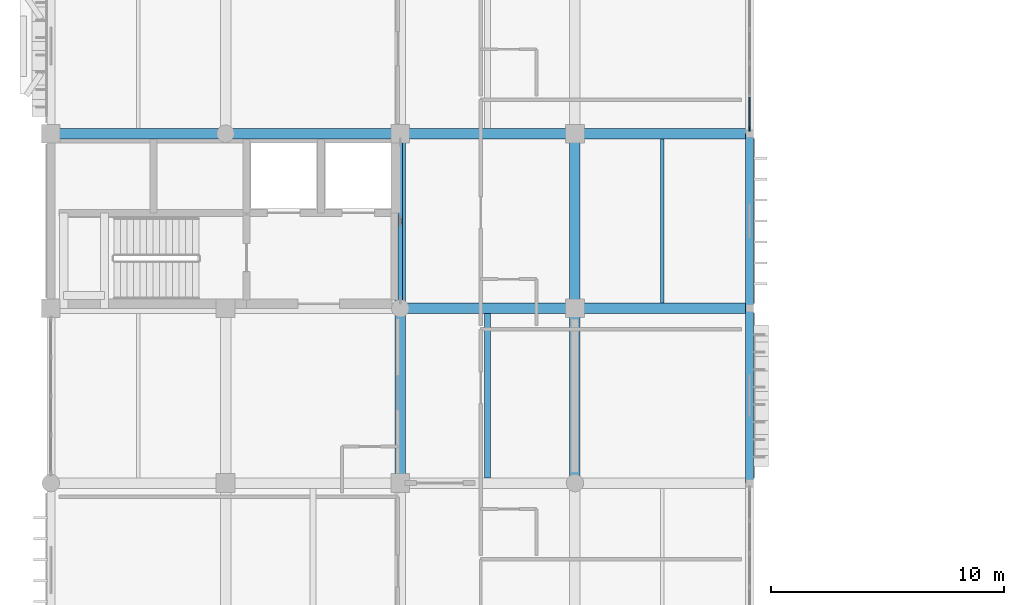
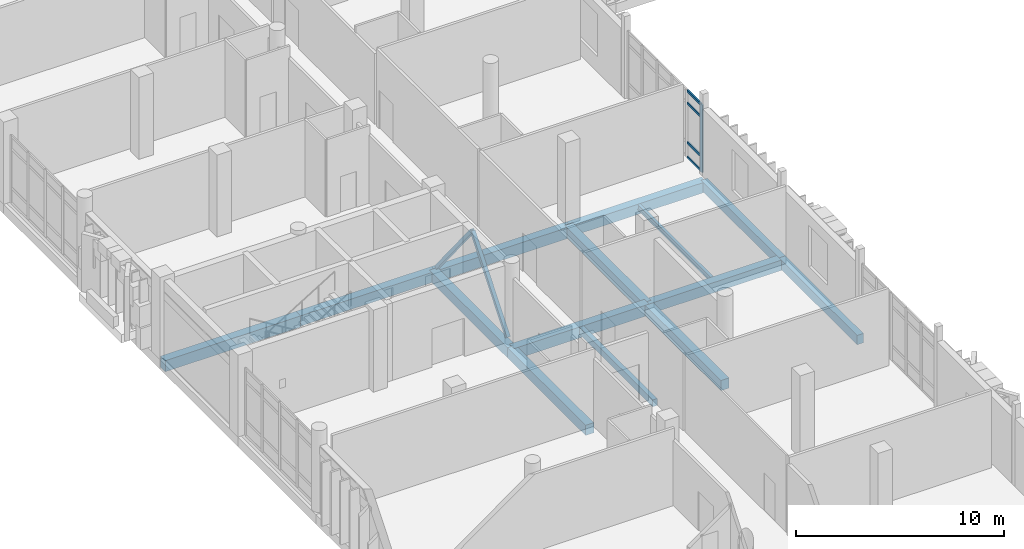
# One storey, part 22 of 131: 14 beams, 7 members, 1 element without a shape of its own.
"""IFC4 building model written with IfcOpenShell, lengths in metres."""

import ifcopenshell
import ifcopenshell.guid

model = None  # the IFC model being written
_history = None  # IfcOwnerHistory: only IFC2X3 demands one
_inside = {}  # id of a spatial element -> (the spatial element, [elements in it])
_under = {}  # id of a project, library or spatial element -> (it, [spatial elements below it])
_declared = {}  # id of a project -> (the project, [libraries it declares])
_typed = {}  # id of a type object -> (the type object, [elements of that type])
_made_of = {}  # id of a material, layer set ... -> (it, [elements and type objects made of it])


def new_model(schema):
    """Start an empty IFC model of exactly this schema.

    Asked for "IFC4X3", IfcOpenShell would pick the latest addendum, in which some entities
    have other attributes; the version numbers below select the first issue.
    IFC2X3 requires an IfcOwnerHistory on every rooted entity: one is made here for all.
    """
    global model, _history
    if schema == "IFC4X3":
        model = ifcopenshell.file(schema_version=(4, 3, 0, 0))
    else:
        model = ifcopenshell.file(schema=schema)
    _inside.clear()
    _under.clear()
    _declared.clear()
    _typed.clear()
    _made_of.clear()
    _history = None
    if model.schema == "IFC2X3":
        org = make("IfcOrganization", Name="unknown")
        user = make(
            "IfcPersonAndOrganization",
            ThePerson=make("IfcPerson", FamilyName="unknown"),
            TheOrganization=org,
        )
        app = make(
            "IfcApplication",
            ApplicationDeveloper=org,
            Version="unknown",
            ApplicationFullName="unknown",
            ApplicationIdentifier="unknown",
        )
        _history = make(
            "IfcOwnerHistory",
            OwningUser=user,
            OwningApplication=app,
            ChangeAction="ADDED",
            CreationDate=0,
        )
    return model


def make(cls, **values):
    """One entity of the class cls with the attributes given. An attribute that is None is left unset."""
    return model.create_entity(
        cls, **{name: value for name, value in values.items() if value is not None}
    )


def rooted(cls, **values):
    """An entity with a GlobalId (a new one), such as an element, a storey or a relation."""
    return make(cls, GlobalId=ifcopenshell.guid.new(), OwnerHistory=_history, **values)


def si_unit(unit_type, name, prefix=None):
    """IfcSIUnit, for example si_unit("LENGTHUNIT", "METRE", prefix="MILLI")."""
    return make("IfcSIUnit", UnitType=unit_type, Prefix=prefix, Name=name)


def assignment(units):
    """IfcUnitAssignment: the units of a project."""
    return None if units is None else make("IfcUnitAssignment", Units=units)


def point(xyz):
    """IfcCartesianPoint."""
    return None if xyz is None else make("IfcCartesianPoint", Coordinates=xyz)


def direction(xyz):
    """IfcDirection."""
    return None if xyz is None else make("IfcDirection", DirectionRatios=xyz)


def frame(location, z_axis=None, x_axis=None):
    """IfcAxis2Placement3D, a coordinate frame: its origin and axes. An axis left out is left unset."""
    return make(
        "IfcAxis2Placement3D",
        Location=point(location),
        Axis=direction(z_axis),
        RefDirection=direction(x_axis),
    )


def frame_2d(location, x_axis=None):
    """IfcAxis2Placement2D, a coordinate frame in the plane: its origin and x axis."""
    return make(
        "IfcAxis2Placement2D", Location=point(location), RefDirection=direction(x_axis)
    )


def origin():
    """The frame at (0, 0, 0) with its axes left unset."""
    return frame((0.0, 0.0, 0.0))


def origin_2d():
    """The frame at (0, 0) in the plane with its x axis left unset."""
    return frame_2d((0.0, 0.0))


def place(relative_to, where):
    """IfcLocalPlacement: puts the frame where relative to a parent placement (None: the world)."""
    return make(
        "IfcLocalPlacement", PlacementRelTo=relative_to, RelativePlacement=where
    )


def context(
    kind, dimensions, precision=None, world=None, true_north=None, identifier=None
):
    """IfcGeometricRepresentationContext, for example the 3D "Model" context."""
    return make(
        "IfcGeometricRepresentationContext",
        ContextIdentifier=identifier,
        ContextType=kind,
        CoordinateSpaceDimension=dimensions,
        Precision=precision,
        WorldCoordinateSystem=world,
        TrueNorth=true_north,
    )


def subcontext(parent, identifier, kind, view, scale=None):
    """IfcGeometricRepresentationSubContext, for example "Body" below "Model"."""
    return make(
        "IfcGeometricRepresentationSubContext",
        ContextIdentifier=identifier,
        ContextType=kind,
        ParentContext=parent,
        TargetScale=scale,
        TargetView=view,
    )


def project(units=None, contexts=None):
    """IfcProject with its units and contexts."""
    return rooted(
        "IfcProject",
        Name="project",
        RepresentationContexts=contexts,
        UnitsInContext=assignment(units),
    )


def spatial(cls, under=None, at=None, **own):
    """A site, building, storey or space (cls), placed at a placement, below another one or the project."""
    s = rooted(cls, ObjectPlacement=at, **own)
    if under is not None:
        _under.setdefault(under.id(), (under, []))[1].append(s)
    return s


def profile(cls, at=None, kind="AREA", **sizes):
    """A parametric profile (cls). Its sizes go by their IFC names, for example OverallWidth=200.0."""
    return make(cls, ProfileType=kind, Position=at, **sizes)


def rectangle(**sizes):
    """IfcRectangleProfileDef."""
    return profile("IfcRectangleProfileDef", **sizes)


def hollow_rectangle(**sizes):
    """IfcRectangleHollowProfileDef."""
    return profile("IfcRectangleHollowProfileDef", **sizes)


def i_section(**sizes):
    """IfcIShapeProfileDef."""
    return profile("IfcIShapeProfileDef", **sizes)


def extrude(swept, where, along, depth):
    """IfcExtrudedAreaSolid: the profile swept, set in the frame where, extruded along a direction by depth."""
    return make(
        "IfcExtrudedAreaSolid",
        SweptArea=swept,
        Position=where,
        ExtrudedDirection=direction(along),
        Depth=depth,
    )


def shape(context_of_items, identifier, shape_type, items):
    """IfcShapeRepresentation: the items that make up one representation, for example the "Body"."""
    return make(
        "IfcShapeRepresentation",
        ContextOfItems=context_of_items,
        RepresentationIdentifier=identifier,
        RepresentationType=shape_type,
        Items=items,
    )


def material(Name=None, Category=None):
    """IfcMaterial."""
    return make("IfcMaterial", Name=Name, Category=Category)


def layer(
    of_material, thickness, ventilated=None, Name=None, Category=None, Priority=None
):
    """IfcMaterialLayer: one layer of a wall or slab, of a material (None: an air gap)."""
    return make(
        "IfcMaterialLayer",
        Material=of_material,
        LayerThickness=thickness,
        IsVentilated=ventilated,
        Name=Name,
        Category=Category,
        Priority=Priority,
    )


def layer_set(layers, Name=None):
    """IfcMaterialLayerSet."""
    return make("IfcMaterialLayerSet", MaterialLayers=layers, LayerSetName=Name)


def material_profile(
    of_material, cross_section, Name=None, Category=None, Priority=None
):
    """IfcMaterialProfile: a cross section and its material."""
    return make(
        "IfcMaterialProfile",
        Name=Name,
        Material=of_material,
        Profile=cross_section,
        Priority=Priority,
        Category=Category,
    )


def profile_set(profiles, Name=None, composite=None):
    """IfcMaterialProfileSet."""
    return make(
        "IfcMaterialProfileSet",
        Name=Name,
        MaterialProfiles=profiles,
        CompositeProfile=composite,
    )


def made_of(thing, what):
    """Note that an element or type object is made of a material, layer set ...; save() writes the relation."""
    if what is not None:
        _made_of.setdefault(what.id(), (what, []))[1].append(thing)
    return thing


def type_object(cls, material=None, **own):
    """A type object (cls), such as IfcWallType, which elements share."""
    return made_of(rooted(cls, **own), material)


def element(
    cls,
    number,
    at=None,
    inside=None,
    cuts=None,
    type_object=None,
    material=None,
    context=None,
    identifier="Body",
    shape_type=None,
    held_by="IfcProductDefinitionShape",
    body=None,
    shapes=None,
    **own,
):
    """One element of the class cls, such as IfcWall. Its Tag is "e" and its number.

    at: its placement. inside: the storey or other place that contains it. cuts: it is an
    opening in that element (IfcRelVoidsElement). A single representation is given by context,
    identifier, shape_type and body (its items); several are given by shapes. held_by: the class
    of the entity that holds the representations. save() writes the other relations.
    """
    e = rooted(cls, Tag="e%d" % number, ObjectPlacement=at, **own)
    if body is not None:
        shapes = [shape(context, identifier, shape_type, body)]
    if shapes is not None:
        e.Representation = make(held_by, Representations=shapes)
    if inside is not None:
        _inside.setdefault(inside.id(), (inside, []))[1].append(e)
    if cuts is not None:
        rooted(
            "IfcRelVoidsElement", RelatingBuildingElement=cuts, RelatedOpeningElement=e
        )
    if type_object is not None:
        _typed.setdefault(type_object.id(), (type_object, []))[1].append(e)
    return made_of(e, material)


def aggregate(whole, parts):
    """IfcRelAggregates: a whole, such as a stair, and the parts it consists of."""
    return rooted("IfcRelAggregates", RelatingObject=whole, RelatedObjects=parts)


def save(model, path):
    """Write the relations noted so far, then the file.

    IfcRelAggregates (storeys below a building ...), IfcRelContainedInSpatialStructure (elements
    in a storey), IfcRelDefinesByType, IfcRelAssociatesMaterial and IfcRelDeclares: one each for
    every whole, place, type object, material and project.
    """
    for whole, parts in _under.values():
        aggregate(whole, parts)
    for where, things in _inside.values():
        rooted(
            "IfcRelContainedInSpatialStructure",
            RelatedElements=things,
            RelatingStructure=where,
        )
    for kind, things in _typed.values():
        rooted("IfcRelDefinesByType", RelatedObjects=things, RelatingType=kind)
    for what, things in _made_of.values():
        rooted("IfcRelAssociatesMaterial", RelatedObjects=things, RelatingMaterial=what)
    for by, libraries in _declared.values():
        rooted("IfcRelDeclares", RelatingContext=by, RelatedDefinitions=libraries)
    model.write(path)


model = new_model("IFC4")

# Units and contexts
model_context = context("Model", 3, precision=1e-05, world=origin(), true_north=direction((0.0, 1.0)))
body_context = subcontext(model_context, "Body", "Model", "MODEL_VIEW")
ifc_project = project(units=[si_unit("LENGTHUNIT", "METRE"), si_unit("AREAUNIT", "SQUARE_METRE"), si_unit("VOLUMEUNIT", "CUBIC_METRE"), si_unit("PLANEANGLEUNIT", "RADIAN"), si_unit("MASSUNIT", "GRAM", prefix="KILO")], contexts=[model_context])

# Site, building, storey
site_placement = place(None, origin())
site = spatial("IfcSite", under=ifc_project, at=site_placement, CompositionType="ELEMENT")
building_placement = place(site_placement, origin())
building = spatial("IfcBuilding", under=site, at=building_placement, Name="Dalvernix Boulevard General Hospital", CompositionType="ELEMENT")
storey_placement = place(building_placement, frame((0.0, 0.0, 9.300048828125)))
storey = spatial("IfcBuildingStorey", under=building, at=storey_placement, Name="L02", CompositionType="ELEMENT", Elevation=9.300048828125)

# Beams
ifc_material_1 = material(Name="Concrete C35/45", Category="concrete")
ifc_material_profile_1 = material_profile(ifc_material_1, rectangle(XDim=0.449951171875, YDim=0.64990234375, at=origin_2d()), Name="RCB 450x650")
ifc_profile_set_1 = profile_set([ifc_material_profile_1], Name="Concrete C35/45")
beam_type_1 = type_object("IfcBeamType", Name="BM-B-03-I", PredefinedType="BEAM", material=ifc_profile_set_1)
for number, where, z_axis, x_axis, name in (
    (1, (15.0, 54.0, -0.64501953125), (1.0, 0.0, 0.0), (0.0, 1.0, 0.0), "L02 E-W girder H:3-4"),
    (2, (0.0, 61.5, -0.64501953125), (1.0, 0.0, 0.0), (0.0, 1.0, 0.0), "L02 E-W girder J:1-2"),
    (3, (15.0, 61.5, -0.64501953125), (1.0, 0.0, 0.0), (0.0, 1.0, 0.0), "L02 E-W girder J:3-4"),
):
    element("IfcBeam", number, at=place(storey_placement, frame(where, z_axis=z_axis, x_axis=x_axis)), inside=storey, type_object=beam_type_1, Name=name, PredefinedType="BEAM", context=body_context, shape_type="SweptSolid", body=[
        extrude(rectangle(XDim=0.449951171875, YDim=0.64990234375, at=origin_2d()), origin(), (0.0, 0.0, 1.0), 7.5),
    ])
ifc_material_profile_2 = material_profile(ifc_material_1, rectangle(XDim=0.449951171875, YDim=0.60009765625, at=origin_2d()), Name="RCB 450x600")
ifc_profile_set_2 = profile_set([ifc_material_profile_2], Name="Concrete C35/45")
beam_type_2 = type_object("IfcBeamType", Name="BM-B-04-I", PredefinedType="BEAM", material=ifc_profile_set_2)
for number, where, z_axis, x_axis, name in (
    (4, (22.5, 54.0, -0.6201171875), (1.0, 0.0, 0.0), (0.0, 1.0, 0.0), "L02 E-W girder H:4-5"),
    (5, (7.5, 61.5, -0.6201171875), (1.0, 0.0, 0.0), (0.0, 1.0, 0.0), "L02 E-W girder J:2-3"),
    (6, (22.5, 61.5, -0.6201171875), (1.0, 0.0, 0.0), (0.0, 1.0, 0.0), "L02 E-W girder J:4-5"),
    (7, (15.0, 46.5, -0.6201171875), (0.0, 1.0, 0.0), (-1.0, 0.0, 0.0), "L02 N-S girder 3:G-H"),
    (8, (15.0, 54.0, -0.6201171875), (0.0, 1.0, 0.0), (-1.0, 0.0, 0.0), "L02 N-S girder 3:H-J"),
    (9, (22.5, 46.5, -0.6201171875), (0.0, 1.0, 0.0), (-1.0, 0.0, 0.0), "L02 N-S girder 4:G-H"),
    (10, (22.5, 54.0, -0.6201171875), (0.0, 1.0, 0.0), (-1.0, 0.0, 0.0), "L02 N-S girder 4:H-J"),
):
    element("IfcBeam", number, at=place(storey_placement, frame(where, z_axis=z_axis, x_axis=x_axis)), inside=storey, type_object=beam_type_2, Name=name, PredefinedType="BEAM", context=body_context, shape_type="SweptSolid", body=[
        extrude(rectangle(XDim=0.449951171875, YDim=0.60009765625, at=origin_2d()), origin(), (0.0, 0.0, 1.0), 7.5),
    ])
ifc_material_profile_3 = material_profile(ifc_material_1, rectangle(XDim=0.25, YDim=0.39990234375, at=origin_2d()), Name="RCB 250x400")
ifc_profile_set_3 = profile_set([ifc_material_profile_3], Name="Concrete C35/45")
beam_type_3 = type_object("IfcBeamType", Name="BM-JB-02", PredefinedType="JOIST", material=ifc_profile_set_3)
beam_1_placement = place(storey_placement, frame((18.75, 46.72509765625, -0.52001953125), z_axis=(0.0, 1.0, 0.0), x_axis=(-1.0, 0.0, 0.0)))
element("IfcBeam", 11, at=beam_1_placement, inside=storey, type_object=beam_type_3, Name="L02 secondary floor beam 3-G", PredefinedType="JOIST", context=body_context, shape_type="SweptSolid", body=[
    extrude(rectangle(XDim=0.25, YDim=0.39990234375, at=origin_2d()), origin(), (0.0, 0.0, 1.0), 7.0498046875),
])
ifc_material_2 = material(Name="Steel S355", Category="steel")
ifc_material_profile_4 = material_profile(ifc_material_2, i_section(OverallWidth=0.14990234375, OverallDepth=0.300048828125, WebThickness=0.007080078125, FlangeThickness=0.0107421875, FilletRadius=0.014892578125, at=origin_2d()), Name="IPE 300")
ifc_profile_set_4 = profile_set([ifc_material_profile_4], Name="Steel S355")
beam_type_4 = type_object("IfcBeamType", Name="BM-JB-03", PredefinedType="JOIST", material=ifc_profile_set_4)
beam_2_placement = place(storey_placement, frame((26.25, 54.22509765625, -0.469970703125), z_axis=(0.0, 1.0, 0.0), x_axis=(-1.0, 0.0, 0.0)))
element("IfcBeam", 12, at=beam_2_placement, inside=storey, type_object=beam_type_4, Name="L02 secondary floor beam 4-H", PredefinedType="JOIST", context=body_context, shape_type="SweptSolid", body=[
    extrude(i_section(OverallWidth=0.14990234375, OverallDepth=0.300048828125, WebThickness=0.007080078125, FlangeThickness=0.0107421875, FilletRadius=0.014892578125, at=origin_2d()), origin(), (0.0, 0.0, 1.0), 7.0498046875),
])
ifc_material_profile_5 = material_profile(ifc_material_1, rectangle(XDim=0.35009765625, YDim=0.550048828125, at=origin_2d()), Name="RCB 350x550")
ifc_profile_set_5 = profile_set([ifc_material_profile_5], Name="Concrete C35/45")
beam_type_5 = type_object("IfcBeamType", Name="BM-SB-01-E", PredefinedType="SPANDREL", material=ifc_profile_set_5)
for number, where, z_axis, x_axis, name in (
    (13, (30.0, 46.5, -0.594970703125), (0.0, 1.0, 0.0), (-1.0, 0.0, 0.0), "L02 N-S girder 5:G-H"),
    (14, (30.0, 54.0, -0.594970703125), (0.0, 1.0, 0.0), (-1.0, 0.0, 0.0), "L02 N-S girder 5:H-J"),
):
    element("IfcBeam", number, at=place(storey_placement, frame(where, z_axis=z_axis, x_axis=x_axis)), inside=storey, type_object=beam_type_5, Name=name, PredefinedType="SPANDREL", context=body_context, shape_type="SweptSolid", body=[
        extrude(rectangle(XDim=0.35009765625, YDim=0.550048828125, at=origin_2d()), origin(), (0.0, 0.0, 1.0), 7.5),
    ])

# Members
ifc_material_profile_6 = material_profile(ifc_material_2, hollow_rectangle(XDim=0.199951171875, YDim=0.199951171875, WallThickness=0.010009765625, at=origin_2d()), Name="SHS 200x200x10.0")
ifc_profile_set_6 = profile_set([ifc_material_profile_6], Name="Steel S355")
member_type_1 = type_object("IfcMemberType", Name="MEM-BR-02", PredefinedType="BRACE", material=ifc_profile_set_6)
for number, where, z_axis, x_axis, name in (
    (15, (15.0, 54.35009765625, 0.0), (0.0, 0.629191729997, 0.777250131491), (-1.0, 0.0, 0.0), "L02 braced frame chevron 2A"),
    (16, (15.0, 61.14990234375, 0.0), (0.0, -0.629191729997, 0.777250131491), (1.0, 0.0, 0.0), "L02 braced frame chevron 2B"),
):
    element("IfcMember", number, at=place(storey_placement, frame(where, z_axis=z_axis, x_axis=x_axis)), inside=storey, type_object=member_type_1, Name=name, PredefinedType="BRACE", context=body_context, shape_type="SweptSolid", body=[
        extrude(hollow_rectangle(XDim=0.199951171875, YDim=0.199951171875, WallThickness=0.010009765625, at=origin_2d()), origin(), (0.0, 0.0, 1.0), 5.403564453125),
    ])

# Curtain wall, members
ifc_material_3 = material(Name="Thermally broken aluminium and solar-control glass curtain wall", Category="aluminium")
ifc_layer = layer(ifc_material_3, 0.199951171875)
ifc_layer_set = layer_set([ifc_layer], Name="Thermally broken aluminium and solar-control glass curtain wall (CW-CW-C-72x40)")
curtain_wall_type = type_object("IfcCurtainWallType", Name="CW-CW-C-72x40", PredefinedType="USERDEFINED", material=ifc_layer_set)
curtain_wall_placement = place(storey_placement, origin())
curtain_wall = element("IfcCurtainWall", 17, at=curtain_wall_placement, inside=storey, type_object=curtain_wall_type, Name="L02 curtain wall CW-C-72x40 4-8", ObjectType="GLAZED FACADE", PredefinedType="USERDEFINED")
ifc_material_4 = material(Name="Aluminium EN AW-6060", Category="aluminium")
ifc_material_profile_7 = material_profile(ifc_material_4, rectangle(XDim=0.070068359375, YDim=0.199951171875, at=origin_2d()), Name="ALU MULL 70x200")
ifc_profile_set_7 = profile_set([ifc_material_profile_7], Name="Aluminium EN AW-6060")
member_type_2 = type_object("IfcMemberType", Name="MEM-CW-M3", PredefinedType="MULLION", material=ifc_profile_set_7)
member_1_placement = place(storey_placement, frame((30.0, 61.705078125, 0.0), z_axis=(0.0, 0.0, 1.0), x_axis=(1.0, 0.0, 0.0)))
member_1 = element("IfcMember", 18, at=member_1_placement, type_object=member_type_2, Name="CW-C-72x40 mullion 6", PredefinedType="MULLION", context=body_context, shape_type="SweptSolid", body=[
    extrude(rectangle(XDim=0.070068359375, YDim=0.199951171875, at=origin_2d()), origin(), (0.0, 0.0, 1.0), 3.949951171875),
])
ifc_material_profile_8 = material_profile(ifc_material_4, rectangle(XDim=0.070068359375, YDim=0.14990234375, at=origin_2d()), Name="ALU TRAN 70x150")
ifc_profile_set_8 = profile_set([ifc_material_profile_8], Name="Aluminium EN AW-6060")
member_type_3 = type_object("IfcMemberType", Name="MEM-CW-T3", PredefinedType="USERDEFINED", material=ifc_profile_set_8)
member_2_placement = place(storey_placement, frame((30.0, 63.06689453125, 0.034912109375), z_axis=(0.0, -1.0, 0.0), x_axis=(1.0, 0.0, 0.0)))
member_2 = element("IfcMember", 19, at=member_2_placement, type_object=member_type_3, Name="CW-C-72x40 transom 5.1", ObjectType="TRANSOM", PredefinedType="USERDEFINED", context=body_context, shape_type="SweptSolid", body=[
    extrude(rectangle(XDim=0.070068359375, YDim=0.14990234375, at=origin_2d()), origin(), (0.0, 0.0, 1.0), 1.326904296875),
])
member_3_placement = place(storey_placement, frame((30.0, 63.06689453125, 0.89990234375), z_axis=(0.0, -1.0, 0.0), x_axis=(1.0, 0.0, 0.0)))
member_3 = element("IfcMember", 20, at=member_3_placement, type_object=member_type_3, Name="CW-C-72x40 transom 5.2", ObjectType="TRANSOM", PredefinedType="USERDEFINED", context=body_context, shape_type="SweptSolid", body=[
    extrude(rectangle(XDim=0.070068359375, YDim=0.14990234375, at=origin_2d()), origin(), (0.0, 0.0, 1.0), 1.326904296875),
])
member_4_placement = place(storey_placement, frame((30.0, 63.06689453125, 3.199951171875), z_axis=(0.0, -1.0, 0.0), x_axis=(1.0, 0.0, 0.0)))
member_4 = element("IfcMember", 21, at=member_4_placement, type_object=member_type_3, Name="CW-C-72x40 transom 5.3", ObjectType="TRANSOM", PredefinedType="USERDEFINED", context=body_context, shape_type="SweptSolid", body=[
    extrude(rectangle(XDim=0.070068359375, YDim=0.14990234375, at=origin_2d()), origin(), (0.0, 0.0, 1.0), 1.326904296875),
])
member_5_placement = place(storey_placement, frame((30.0, 63.06689453125, 3.9150390625), z_axis=(0.0, -1.0, 0.0), x_axis=(1.0, 0.0, 0.0)))
member_5 = element("IfcMember", 22, at=member_5_placement, type_object=member_type_3, Name="CW-C-72x40 transom 5.4", ObjectType="TRANSOM", PredefinedType="USERDEFINED", context=body_context, shape_type="SweptSolid", body=[
    extrude(rectangle(XDim=0.070068359375, YDim=0.14990234375, at=origin_2d()), origin(), (0.0, 0.0, 1.0), 1.326904296875),
])
aggregate(curtain_wall, [member_1, member_2, member_3, member_4, member_5])

save(model, "model.ifc")
